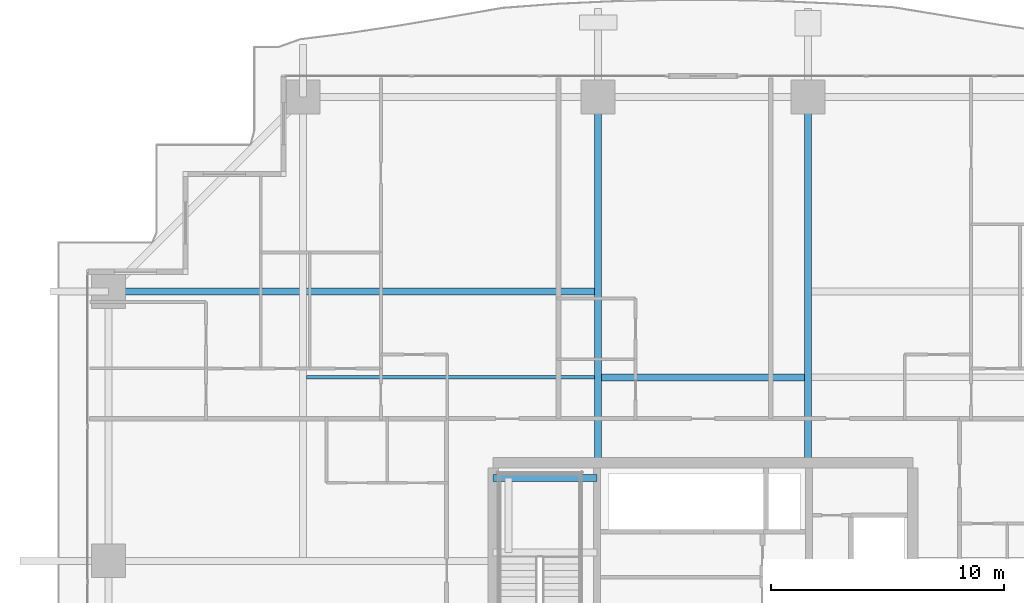
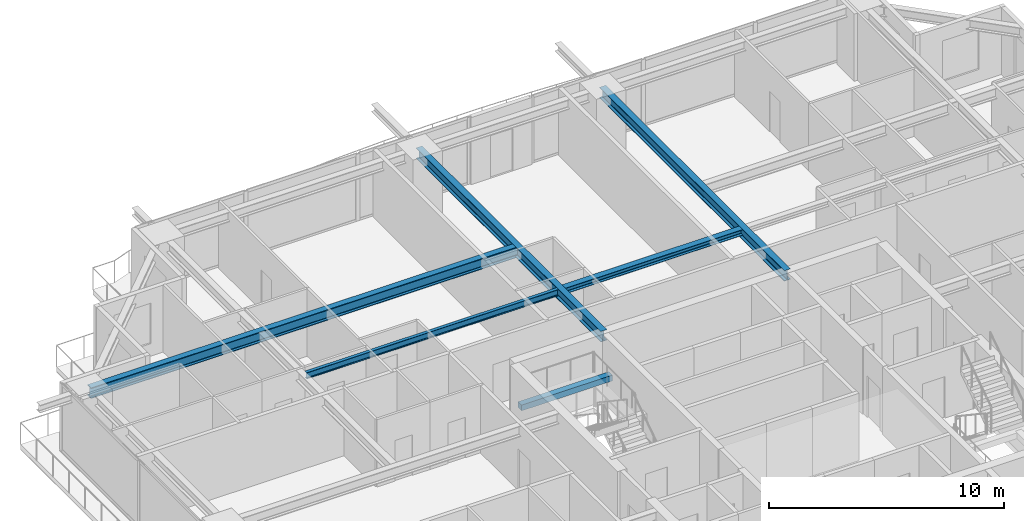
# One storey, part 19 of 38: 6 beams.
"""IFC4 building model written with IfcOpenShell, lengths in metres."""

from ifc_helpers import new_model, si_unit, direction, frame, origin, origin_2d, place, context, subcontext, project, spatial, rectangle, i_section, extrude, source, transform, mapped, material, material_profile, profile_set, type_object, element, save


model = new_model("IFC4")

# Units and contexts
model_context = context("Model", 3, precision=1e-05, world=origin(), true_north=direction((0.0, 1.0)))
body_context = subcontext(model_context, "Body", "Model", "MODEL_VIEW")
ifc_project = project(units=[si_unit("LENGTHUNIT", "METRE"), si_unit("AREAUNIT", "SQUARE_METRE"), si_unit("VOLUMEUNIT", "CUBIC_METRE"), si_unit("PLANEANGLEUNIT", "RADIAN"), si_unit("MASSUNIT", "GRAM", prefix="KILO")], contexts=[model_context])

# Site, building, storey
site_placement = place(None, origin())
site = spatial("IfcSite", under=ifc_project, at=site_placement, CompositionType="ELEMENT")
building_placement = place(site_placement, origin())
building = spatial("IfcBuilding", under=site, at=building_placement, Name="Serunith Strait Residences", CompositionType="ELEMENT")
storey_placement = place(building_placement, frame((0.0, 0.0, 37.949951171875)))
storey = spatial("IfcBuildingStorey", under=building, at=storey_placement, Name="L08", CompositionType="ELEMENT", Elevation=37.949951171875)

# Beams
ifc_material_1 = material(Name="Steel S355J2", Category="steel")
ifc_material_profile_1 = material_profile(ifc_material_1, i_section(OverallWidth=0.300048828125, OverallDepth=0.550048828125, WebThickness=0.014892578125, FlangeThickness=0.029052734375, FilletRadius=0.027099609375, at=origin_2d()), Name="HEB 550")
ifc_profile_set_1 = profile_set([ifc_material_profile_1], Name="Steel S355J2")
beam_type_1 = type_object("IfcBeamType", Name="BM-HEB550", PredefinedType="BEAM", material=ifc_profile_set_1)
shared_shape_1 = source(origin(), body_context, "Body", "SweptSolid", [
    extrude(i_section(OverallWidth=0.300048828125, OverallDepth=0.550048828125, WebThickness=0.014892578125, FlangeThickness=0.029052734375, FilletRadius=0.027099609375, at=origin_2d()), origin(), (0.0, 0.0, 1.0), 15.699951171875),
])
for number, where, z_axis, x_axis, name in (
    (1, (27.89990234375, 33.60009765625, 3.212158203125), (0.0, 1.0, 0.0), (-1.0, 0.0, 0.0), "L08 Primary Floor Girder TC-N2"),
    (2, (36.89990234375, 33.60009765625, 3.212158203125), (0.0, 1.0, 0.0), (-1.0, 0.0, 0.0), "L08 Primary Floor Girder TC-N3"),
):
    element("IfcBeam", number, at=place(storey_placement, frame(where, z_axis=z_axis, x_axis=x_axis)), inside=storey, type_object=beam_type_1, Name=name, PredefinedType="BEAM", context=body_context, shape_type="MappedRepresentation", body=[
        mapped(shared_shape_1, transform((0.0, 0.0, 0.0), scale=1.0)),
    ])
shared_shape_2 = source(origin(), body_context, "Body", "SweptSolid", [
    extrude(i_section(OverallWidth=0.300048828125, OverallDepth=0.550048828125, WebThickness=0.014892578125, FlangeThickness=0.029052734375, FilletRadius=0.027099609375, at=origin_2d()), origin(), (0.0, 0.0, 1.0), 21.0),
])
beam_1_placement = place(storey_placement, frame((27.89990234375, 40.949951171875, 3.212158203125), z_axis=(-1.0, 0.0, 0.0), x_axis=(0.0, -1.0, 0.0)))
element("IfcBeam", 3, at=beam_1_placement, inside=storey, type_object=beam_type_1, Name="L08 Orthogonal Corner Girder TC-W4", PredefinedType="BEAM", context=body_context, shape_type="MappedRepresentation", body=[
    mapped(shared_shape_2, transform((0.0, 0.0, 0.0), scale=1.0)),
])
ifc_material_profile_2 = material_profile(ifc_material_1, i_section(OverallWidth=0.159912109375, OverallDepth=0.330078125, WebThickness=0.007568359375, FlangeThickness=0.011474609375, FilletRadius=0.01806640625, at=origin_2d()), Name="IPE 330")
ifc_profile_set_2 = profile_set([ifc_material_profile_2], Name="Steel S355J2")
beam_type_2 = type_object("IfcBeamType", Name="BM-IPE330", PredefinedType="JOIST", material=ifc_profile_set_2)
shared_shape_3 = source(origin(), body_context, "Body", "SweptSolid", [
    extrude(i_section(OverallWidth=0.159912109375, OverallDepth=0.330078125, WebThickness=0.007568359375, FlangeThickness=0.011474609375, FilletRadius=0.01806640625, at=origin_2d()), origin(), (0.0, 0.0, 1.0), 12.35009765625),
])
beam_2_placement = place(storey_placement, frame((15.39990234375, 37.27490234375, 3.322021484375), z_axis=(1.0, 0.0, 0.0), x_axis=(0.0, 1.0, 0.0)))
element("IfcBeam", 4, at=beam_2_placement, inside=storey, type_object=beam_type_2, Name="L08 Composite Floor Joist 04", PredefinedType="JOIST", context=body_context, shape_type="MappedRepresentation", body=[
    mapped(shared_shape_3, transform((0.0, 0.0, 0.0), scale=1.0)),
])
ifc_material_profile_3 = material_profile(ifc_material_1, i_section(OverallWidth=0.300048828125, OverallDepth=0.300048828125, WebThickness=0.010986328125, FlangeThickness=0.01904296875, FilletRadius=0.027099609375, at=origin_2d()), Name="HEB 300")
ifc_profile_set_3 = profile_set([ifc_material_profile_3], Name="Steel S355J2")
beam_type_3 = type_object("IfcBeamType", Name="BM-HEB300", PredefinedType="JOIST", material=ifc_profile_set_3)
shared_shape_4 = source(origin(), body_context, "Body", "SweptSolid", [
    extrude(i_section(OverallWidth=0.300048828125, OverallDepth=0.300048828125, WebThickness=0.010986328125, FlangeThickness=0.01904296875, FilletRadius=0.027099609375, at=origin_2d()), origin(), (0.0, 0.0, 1.0), 8.699951171875),
])
beam_3_placement = place(storey_placement, frame((28.050048828125, 37.27490234375, 3.337158203125), z_axis=(1.0, 0.0, 0.0), x_axis=(0.0, 1.0, 0.0)))
element("IfcBeam", 5, at=beam_3_placement, inside=storey, type_object=beam_type_3, Name="L08 Composite Floor Joist 05", PredefinedType="JOIST", context=body_context, shape_type="MappedRepresentation", body=[
    mapped(shared_shape_4, transform((0.0, 0.0, 0.0), scale=1.0)),
])
ifc_material_2 = material(Name="Concrete C60/75", Category="concrete")
ifc_material_profile_4 = material_profile(ifc_material_2, rectangle(XDim=0.300048828125, YDim=0.300048828125, at=origin_2d()), Name="RC 300x300")
ifc_profile_set_4 = profile_set([ifc_material_profile_4], Name="Concrete C60/75")
beam_type_4 = type_object("IfcBeamType", Name="BM-LAND-300x300", PredefinedType="BEAM", material=ifc_profile_set_4)
shared_shape_5 = source(origin(), body_context, "Body", "SweptSolid", [
    extrude(rectangle(XDim=0.300048828125, YDim=0.300048828125, at=origin_2d()), origin(), (0.0, 0.0, 1.0), 4.4501953125),
])
beam_4_placement = place(storey_placement, frame((23.39990234375, 32.949951171875, 1.525146484375), z_axis=(1.0, 0.0, 0.0), x_axis=(0.0, 1.0, 0.0)))
element("IfcBeam", 6, at=beam_4_placement, inside=storey, type_object=beam_type_4, Name="L08 ST-1 Landing Support Beam 2", PredefinedType="BEAM", context=body_context, shape_type="MappedRepresentation", body=[
    mapped(shared_shape_5, transform((0.0, 0.0, 0.0), scale=1.0)),
])

save(model, "model.ifc")
